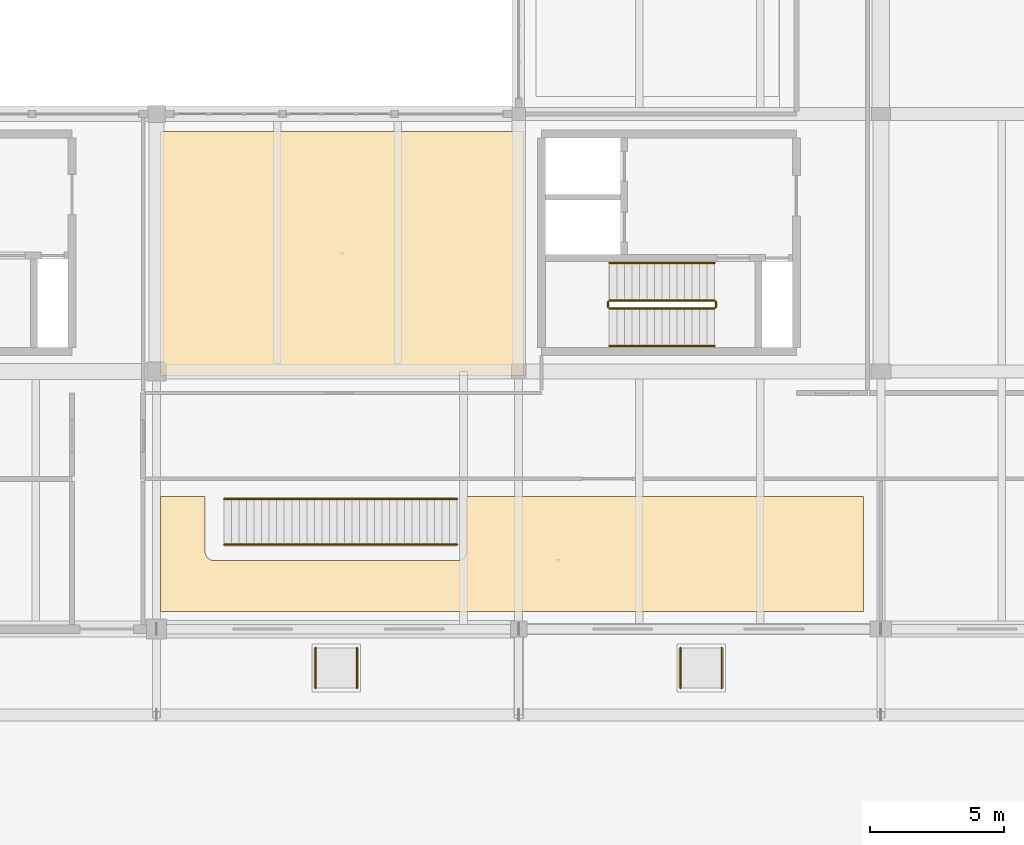
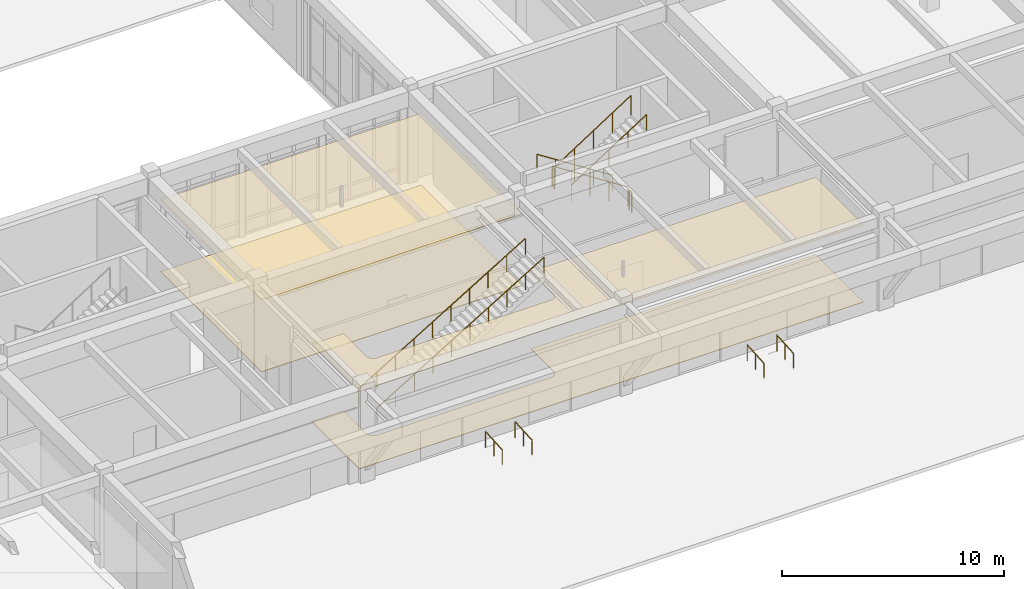
# One storey, part 126 of 138: 12 railings, 4 coverings.
"""IFC4 building model written with IfcOpenShell, lengths in metres."""

from ifc_helpers import new_model, si_unit, direction, frame, origin, origin_2d, place, context, subcontext, project, spatial, polyline, circle, outline, extrude, material, layer, layer_set, type_object, element, save


model = new_model("IFC4")

# Units and contexts
model_context = context("Model", 3, precision=1e-05, world=origin(), true_north=direction((0.0, 1.0)))
body_context = subcontext(model_context, "Body", "Model", "MODEL_VIEW")
ifc_project = project(units=[si_unit("LENGTHUNIT", "METRE"), si_unit("AREAUNIT", "SQUARE_METRE"), si_unit("VOLUMEUNIT", "CUBIC_METRE"), si_unit("PLANEANGLEUNIT", "RADIAN"), si_unit("MASSUNIT", "GRAM", prefix="KILO")], contexts=[model_context])

# Site, building, storey
site_placement = place(None, origin())
site = spatial("IfcSite", under=ifc_project, at=site_placement, CompositionType="ELEMENT")
building_placement = place(site_placement, origin())
building = spatial("IfcBuilding", under=site, at=building_placement, Name="Fikremerkos Civic Library", CompositionType="ELEMENT")
storey_placement = place(building_placement, origin())
storey = spatial("IfcBuildingStorey", under=building, at=storey_placement, Name="L00", CompositionType="ELEMENT", Elevation=0.0)

# Coverings
ifc_material_1 = material(Name="Perforated acoustic cedar timber", Category="wood")
ifc_layer_1 = layer(ifc_material_1, 0.02490234375, Name="Perforated acoustic cedar timber")
ifc_layer_set_1 = layer_set([ifc_layer_1], Name="Perforated acoustic cedar timber")
covering_type_1 = type_object("IfcCoveringType", Name="Acoustic perforated timber ceiling CLG-01", PredefinedType="CEILING", material=ifc_layer_set_1)
covering_1_placement = place(storey_placement, frame((0.0, 0.0, 4.260009765625)))
element("IfcCovering", 1, at=covering_1_placement, inside=storey, type_object=covering_type_1, Name="Acoustic ceiling Main Entrance Foyer", PredefinedType="CEILING", context=body_context, shape_type="SweptSolid", body=[
    extrude(outline(polyline([(32.85009765625, 16.949951171875), (34.510009765625, 16.949951171875), (34.510009765625, 14.89990234375), (34.51171875, 14.86572265625), (34.5166015625, 14.831787109375), (34.525146484375, 14.79833984375), (34.53662109375, 14.76611328125), (34.55126953125, 14.735107421875), (34.569091796875, 14.70556640625), (34.58935546875, 14.677978515625), (34.612548828125, 14.652587890625), (34.637939453125, 14.62939453125), (34.66552734375, 14.60888671875), (34.695068359375, 14.59130859375), (34.72607421875, 14.57666015625), (34.75830078125, 14.565185546875), (34.791748046875, 14.556640625), (34.82568359375, 14.5517578125), (34.860107421875, 14.550048828125), (43.89990234375, 14.550048828125), (43.934326171875, 14.5517578125), (43.96826171875, 14.556640625), (44.001708984375, 14.565185546875), (44.033935546875, 14.57666015625), (44.06494140625, 14.59130859375), (44.094482421875, 14.60888671875), (44.1220703125, 14.62939453125), (44.1474609375, 14.652587890625), (44.170654296875, 14.677978515625), (44.19091796875, 14.70556640625), (44.208740234375, 14.735107421875), (44.223388671875, 14.76611328125), (44.23486328125, 14.79833984375), (44.243408203125, 14.831787109375), (44.248291015625, 14.86572265625), (44.25, 14.89990234375), (44.25, 16.949951171875), (59.050048828125, 16.949951171875), (59.050048828125, 12.64990234375), (32.85009765625, 12.64990234375), (32.85009765625, 16.949951171875)])), origin(), (0.0, 0.0, 1.0), 0.02490234375),
])
covering_2_placement = place(storey_placement, frame((0.0, 0.0, 3.9599609375)))
element("IfcCovering", 2, at=covering_2_placement, inside=storey, type_object=covering_type_1, Name="Acoustic ceiling Reception and Book Return Desk", PredefinedType="CEILING", context=body_context, shape_type="SweptSolid", body=[
    extrude(outline(polyline([(32.85009765625, 30.550048828125), (46.39990234375, 30.550048828125), (46.39990234375, 21.449951171875), (32.85009765625, 21.449951171875), (32.85009765625, 30.550048828125)])), origin(), (0.0, 0.0, 1.0), 0.025146484375),
])

# Railings
ifc_material_2 = material(Name="Brushed stainless steel", Category="steel")
railing_type_1 = type_object("IfcRailingType", Name="Exterior ramp handrail HRL-02 900", PredefinedType="HANDRAIL", material=ifc_material_2)
for number, where, name in (
    (3, (38.6298828125, 9.800048828125, -0.10009765625), "RMP-02 accessible handrail L"),
    (4, (40.169921875, 9.800048828125, -0.10009765625), "RMP-02 accessible handrail R"),
    (5, (52.22998046875, 9.800048828125, -0.10009765625), "RMP-03 accessible handrail L"),
    (6, (53.77001953125, 9.800048828125, -0.10009765625), "RMP-03 accessible handrail R"),
):
    element("IfcRailing", number, at=place(storey_placement, frame(where)), inside=storey, type_object=railing_type_1, Name=name, PredefinedType="HANDRAIL", context=body_context, shape_type="SweptSolid", body=[
        extrude(circle(Radius=0.02392578125, at=origin_2d()), frame((0.0, 0.0, 0.8759765625), z_axis=(0.0, 0.997780844277, 0.066583682642), x_axis=(-1.0, 0.0, 0.0)), (0.0, 0.0, 1.0), 1.50341796875),
        extrude(circle(Radius=0.02099609375, at=origin_2d()), origin(), (0.0, 0.0, 1.0), 0.851806640625),
        extrude(circle(Radius=0.02099609375, at=origin_2d()), frame((0.0, 0.75, 0.050048828125)), (0.0, 0.0, 1.0), 0.851806640625),
        extrude(circle(Radius=0.02099609375, at=origin_2d()), frame((0.0, 1.5, 0.10009765625)), (0.0, 0.0, 1.0), 0.851806640625),
    ])
ifc_material_3 = material(Name="Painted Steel S275", Category="steel")
railing_type_2 = type_object("IfcRailingType", Name="Interior balustrade guard RLG-INT 1100", PredefinedType="BALUSTRADE", material=ifc_material_3)
railing_1_placement = place(storey_placement, frame((53.5, 24.25, 0.179931640625)))
element("IfcRailing", 7, at=railing_1_placement, inside=storey, type_object=railing_type_2, Name="L00 ST-K3 stair guard 1", PredefinedType="BALUSTRADE", context=body_context, shape_type="SweptSolid", body=[
    extrude(circle(Radius=0.02392578125, at=origin_2d()), frame((0.0, 0.0, 1.076171875), z_axis=(-0.841171666519, 0.0, 0.540768182723), x_axis=(0.0, -1.0, 0.0)), (0.0, 0.0, 1.0), 4.66015625),
    extrude(circle(Radius=0.02099609375, at=origin_2d()), origin(), (0.0, 0.0, 1.0), 1.052001953125),
    extrude(circle(Radius=0.02099609375, at=origin_2d()), frame((-0.97998046875, 0.0, 0.6298828125)), (0.0, 0.0, 1.0), 1.052001953125),
    extrude(circle(Radius=0.02099609375, at=origin_2d()), frame((-1.9599609375, 0.0, 1.260009765625)), (0.0, 0.0, 1.0), 1.052001953125),
    extrude(circle(Radius=0.02099609375, at=origin_2d()), frame((-2.93994140625, 0.0, 1.89013671875)), (0.0, 0.0, 1.0), 1.052001953125),
    extrude(circle(Radius=0.02099609375, at=origin_2d()), frame((-3.919921875, 0.0, 2.52001953125)), (0.0, 0.0, 1.0), 1.052001953125),
])
railing_2_placement = place(storey_placement, frame((49.530029296875, 24.199951171875, 2.699951171875)))
element("IfcRailing", 8, at=railing_2_placement, inside=storey, type_object=railing_type_2, Name="L00 ST-K3 stair guard 2", PredefinedType="BALUSTRADE", context=body_context, shape_type="SweptSolid", body=[
    extrude(circle(Radius=0.02392578125, at=origin_2d()), frame((0.0, 0.0, 1.076171875), z_axis=(0.0, -1.0, 0.0), x_axis=(1.0, 0.0, 0.0)), (0.0, 0.0, 1.0), 0.199951171875),
    extrude(circle(Radius=0.02099609375, at=origin_2d()), origin(), (0.0, 0.0, 1.0), 1.052001953125),
    extrude(circle(Radius=0.02099609375, at=origin_2d()), frame((0.0, -0.199951171875, 0.0)), (0.0, 0.0, 1.0), 1.052001953125),
])
railing_3_placement = place(storey_placement, frame((49.580078125, 23.949951171875, 2.8798828125)))
element("IfcRailing", 9, at=railing_3_placement, inside=storey, type_object=railing_type_2, Name="L00 ST-K3 stair guard 3", PredefinedType="BALUSTRADE", context=body_context, shape_type="SweptSolid", body=[
    extrude(circle(Radius=0.02392578125, at=origin_2d()), frame((0.0, 0.0, 1.076171875), z_axis=(0.841171666519, 0.0, 0.540768182723), x_axis=(0.0, 1.0, 0.0)), (0.0, 0.0, 1.0), 4.66015625),
    extrude(circle(Radius=0.02099609375, at=origin_2d()), origin(), (0.0, 0.0, 1.0), 1.052001953125),
    extrude(circle(Radius=0.02099609375, at=origin_2d()), frame((0.97998046875, 0.0, 0.6298828125)), (0.0, 0.0, 1.0), 1.052001953125),
    extrude(circle(Radius=0.02099609375, at=origin_2d()), frame((1.9599609375, 0.0, 1.260009765625)), (0.0, 0.0, 1.0), 1.052001953125),
    extrude(circle(Radius=0.02099609375, at=origin_2d()), frame((2.93994140625, 0.0, 1.89013671875)), (0.0, 0.0, 1.0), 1.052001953125),
    extrude(circle(Radius=0.02099609375, at=origin_2d()), frame((3.919921875, 0.0, 2.52001953125)), (0.0, 0.0, 1.0), 1.052001953125),
])
railing_4_placement = place(storey_placement, frame((53.550048828125, 24.199951171875, 0.0)))
element("IfcRailing", 10, at=railing_4_placement, inside=storey, type_object=railing_type_2, Name="L00 ST-K3 stair guard 4", PredefinedType="BALUSTRADE", context=body_context, shape_type="SweptSolid", body=[
    extrude(circle(Radius=0.02392578125, at=origin_2d()), frame((0.0, 0.0, 1.076171875), z_axis=(0.0, -1.0, 0.0), x_axis=(1.0, 0.0, 0.0)), (0.0, 0.0, 1.0), 0.199951171875),
    extrude(circle(Radius=0.02099609375, at=origin_2d()), origin(), (0.0, 0.0, 1.0), 1.052001953125),
    extrude(circle(Radius=0.02099609375, at=origin_2d()), frame((0.0, -0.199951171875, 0.0)), (0.0, 0.0, 1.0), 1.052001953125),
])

# Coverings
ifc_material_4 = material(Name="Polished basalt terrazzo", Category="masonry")
ifc_layer_2 = layer(ifc_material_4, 0.030029296875, Name="Polished basalt terrazzo")
ifc_layer_set_2 = layer_set([ifc_layer_2], Name="Polished basalt terrazzo")
covering_type_2 = type_object("IfcCoveringType", Name="Polished basalt terrazzo flooring FLR-01", PredefinedType="FLOORING", material=ifc_layer_set_2)
covering_3_placement = place(storey_placement, origin())
element("IfcCovering", 11, at=covering_3_placement, inside=storey, type_object=covering_type_2, Name="Terrazzo floor finish Main Entrance Foyer", PredefinedType="FLOORING", context=body_context, shape_type="SweptSolid", body=[
    extrude(outline(polyline([(32.85009765625, 16.949951171875), (34.510009765625, 16.949951171875), (34.510009765625, 14.89990234375), (34.51171875, 14.86572265625), (34.5166015625, 14.831787109375), (34.525146484375, 14.79833984375), (34.53662109375, 14.76611328125), (34.55126953125, 14.735107421875), (34.569091796875, 14.70556640625), (34.58935546875, 14.677978515625), (34.612548828125, 14.652587890625), (34.637939453125, 14.62939453125), (34.66552734375, 14.60888671875), (34.695068359375, 14.59130859375), (34.72607421875, 14.57666015625), (34.75830078125, 14.565185546875), (34.791748046875, 14.556640625), (34.82568359375, 14.5517578125), (34.860107421875, 14.550048828125), (43.89990234375, 14.550048828125), (43.934326171875, 14.5517578125), (43.96826171875, 14.556640625), (44.001708984375, 14.565185546875), (44.033935546875, 14.57666015625), (44.06494140625, 14.59130859375), (44.094482421875, 14.60888671875), (44.1220703125, 14.62939453125), (44.1474609375, 14.652587890625), (44.170654296875, 14.677978515625), (44.19091796875, 14.70556640625), (44.208740234375, 14.735107421875), (44.223388671875, 14.76611328125), (44.23486328125, 14.79833984375), (44.243408203125, 14.831787109375), (44.248291015625, 14.86572265625), (44.25, 14.89990234375), (44.25, 16.949951171875), (59.050048828125, 16.949951171875), (59.050048828125, 12.64990234375), (32.85009765625, 12.64990234375), (32.85009765625, 16.949951171875)])), origin(), (0.0, 0.0, 1.0), 0.030029296875),
])
covering_4_placement = place(storey_placement, origin())
element("IfcCovering", 12, at=covering_4_placement, inside=storey, type_object=covering_type_2, Name="Terrazzo floor finish Reception and Book Return Desk", PredefinedType="FLOORING", context=body_context, shape_type="SweptSolid", body=[
    extrude(outline(polyline([(32.85009765625, 30.550048828125), (46.39990234375, 30.550048828125), (46.39990234375, 21.449951171875), (32.85009765625, 21.449951171875), (32.85009765625, 30.550048828125)])), origin(), (0.0, 0.0, 1.0), 0.030029296875),
])

# Railings
railing_type_3 = type_object("IfcRailingType", Name="Wall and flight handrail HRL-01 900", PredefinedType="HANDRAIL", material=ifc_material_2)
railing_5_placement = place(storey_placement, frame((53.5, 25.64990234375, 0.179931640625)))
element("IfcRailing", 13, at=railing_5_placement, inside=storey, type_object=railing_type_3, Name="L00 ST-K3 stair handrail 1", PredefinedType="HANDRAIL", context=body_context, shape_type="SweptSolid", body=[
    extrude(circle(Radius=0.02392578125, at=origin_2d()), frame((0.0, 0.0, 0.8759765625), z_axis=(-0.841171666519, 0.0, 0.540768182723), x_axis=(0.0, -1.0, 0.0)), (0.0, 0.0, 1.0), 4.66015625),
    extrude(circle(Radius=0.02099609375, at=origin_2d()), origin(), (0.0, 0.0, 1.0), 0.851806640625),
    extrude(circle(Radius=0.02099609375, at=origin_2d()), frame((-0.97998046875, 0.0, 0.6298828125)), (0.0, 0.0, 1.0), 0.851806640625),
    extrude(circle(Radius=0.02099609375, at=origin_2d()), frame((-1.9599609375, 0.0, 1.260009765625)), (0.0, 0.0, 1.0), 0.851806640625),
    extrude(circle(Radius=0.02099609375, at=origin_2d()), frame((-2.93994140625, 0.0, 1.89013671875)), (0.0, 0.0, 1.0), 0.851806640625),
    extrude(circle(Radius=0.02099609375, at=origin_2d()), frame((-3.919921875, 0.0, 2.52001953125)), (0.0, 0.0, 1.0), 0.851806640625),
])
railing_6_placement = place(storey_placement, frame((49.580078125, 22.550048828125, 2.8798828125)))
element("IfcRailing", 14, at=railing_6_placement, inside=storey, type_object=railing_type_3, Name="L00 ST-K3 stair handrail 2", PredefinedType="HANDRAIL", context=body_context, shape_type="SweptSolid", body=[
    extrude(circle(Radius=0.02392578125, at=origin_2d()), frame((0.0, 0.0, 0.8759765625), z_axis=(0.841171666519, 0.0, 0.540768182723), x_axis=(0.0, 1.0, 0.0)), (0.0, 0.0, 1.0), 4.66015625),
    extrude(circle(Radius=0.02099609375, at=origin_2d()), origin(), (0.0, 0.0, 1.0), 0.851806640625),
    extrude(circle(Radius=0.02099609375, at=origin_2d()), frame((0.97998046875, 0.0, 0.6298828125)), (0.0, 0.0, 1.0), 0.851806640625),
    extrude(circle(Radius=0.02099609375, at=origin_2d()), frame((1.9599609375, 0.0, 1.260009765625)), (0.0, 0.0, 1.0), 0.851806640625),
    extrude(circle(Radius=0.02099609375, at=origin_2d()), frame((2.93994140625, 0.0, 1.89013671875)), (0.0, 0.0, 1.0), 0.851806640625),
    extrude(circle(Radius=0.02099609375, at=origin_2d()), frame((3.919921875, 0.0, 2.52001953125)), (0.0, 0.0, 1.0), 0.851806640625),
])
for number, where, name in (
    (15, (35.219970703125, 16.85009765625, 0.168701171875), "ST29 handrail L"),
    (16, (35.219970703125, 15.14990234375, 0.168701171875), "ST29 handrail R"),
):
    element("IfcRailing", number, at=place(storey_placement, frame(where)), inside=storey, type_object=railing_type_3, Name=name, PredefinedType="HANDRAIL", context=body_context, shape_type="SweptSolid", body=[
        extrude(circle(Radius=0.02392578125, at=origin_2d()), frame((0.0, 0.0, 0.8759765625), z_axis=(0.856479478481, 0.0, 0.516181075729), x_axis=(0.0, 1.0, 0.0)), (0.0, 0.0, 1.0), 10.134521484375),
        extrude(circle(Radius=0.02099609375, at=origin_2d()), origin(), (0.0, 0.0, 1.0), 0.851806640625),
        extrude(circle(Radius=0.02099609375, at=origin_2d()), frame((0.96435546875, 0.0, 0.581298828125)), (0.0, 0.0, 1.0), 0.851806640625),
        extrude(circle(Radius=0.02099609375, at=origin_2d()), frame((1.928955078125, 0.0, 1.16259765625)), (0.0, 0.0, 1.0), 0.851806640625),
        extrude(circle(Radius=0.02099609375, at=origin_2d()), frame((2.893310546875, 0.0, 1.74365234375)), (0.0, 0.0, 1.0), 0.851806640625),
        extrude(circle(Radius=0.02099609375, at=origin_2d()), frame((3.857666015625, 0.0, 2.324951171875)), (0.0, 0.0, 1.0), 0.851806640625),
        extrude(circle(Radius=0.02099609375, at=origin_2d()), frame((4.822265625, 0.0, 2.90625)), (0.0, 0.0, 1.0), 0.851806640625),
        extrude(circle(Radius=0.02099609375, at=origin_2d()), frame((5.78662109375, 0.0, 3.487548828125)), (0.0, 0.0, 1.0), 0.851806640625),
        extrude(circle(Radius=0.02099609375, at=origin_2d()), frame((6.7509765625, 0.0, 4.068603515625)), (0.0, 0.0, 1.0), 0.851806640625),
        extrude(circle(Radius=0.02099609375, at=origin_2d()), frame((7.715576171875, 0.0, 4.64990234375)), (0.0, 0.0, 1.0), 0.851806640625),
        extrude(circle(Radius=0.02099609375, at=origin_2d()), frame((8.679931640625, 0.0, 5.231201171875)), (0.0, 0.0, 1.0), 0.851806640625),
    ])

save(model, "model.ifc")
